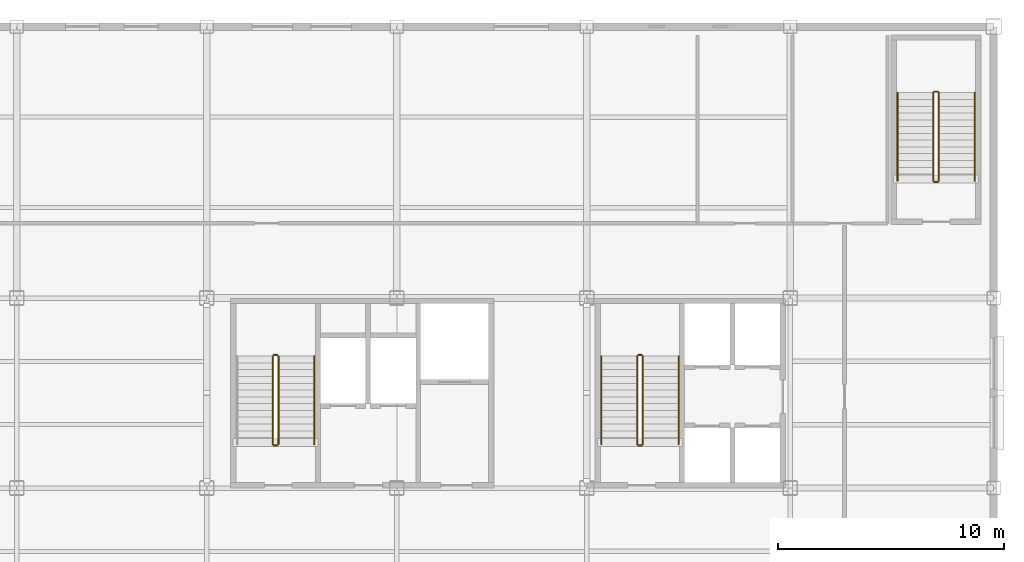
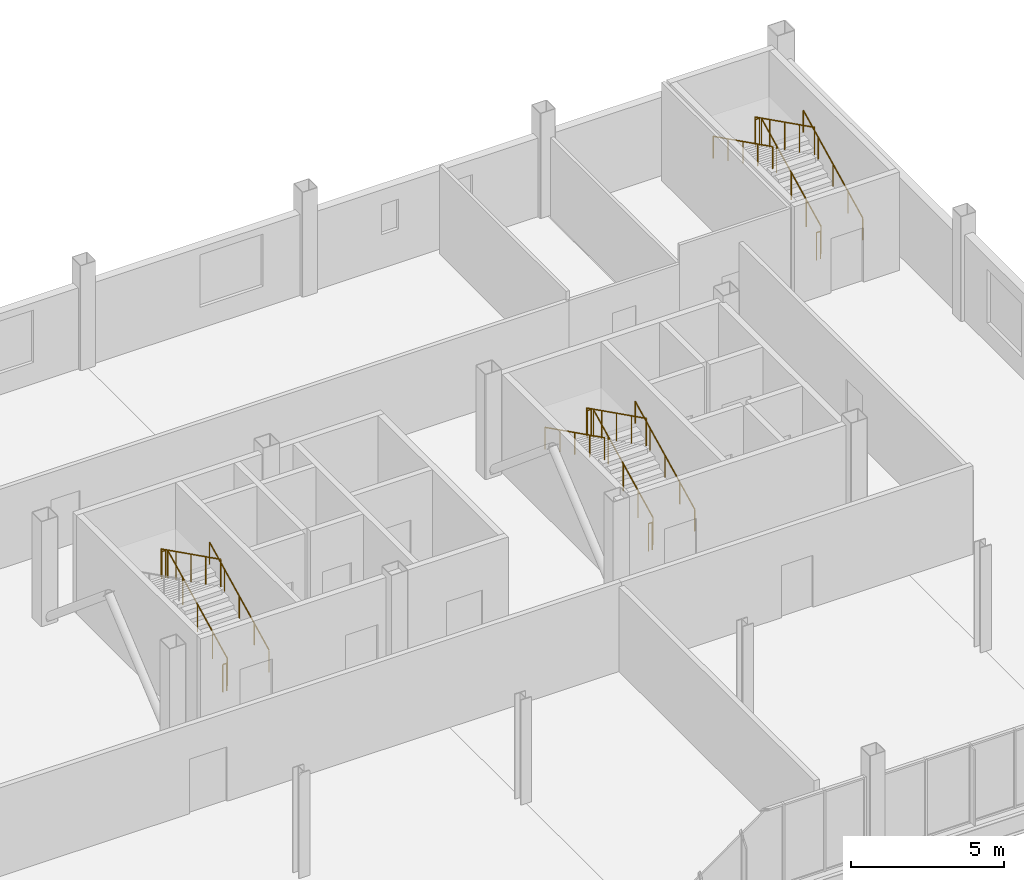
# One storey, part 45 of 45: 17 railings.
"""IFC4 building model written with IfcOpenShell, lengths in metres."""

from ifc_helpers import new_model, si_unit, direction, frame, origin, origin_2d, place, context, subcontext, project, spatial, circle, extrude, material, layer, layer_set, type_object, element, save


model = new_model("IFC4")

# Units and contexts
model_context = context("Model", 3, precision=1e-05, world=origin(), true_north=direction((0.0, 1.0)))
body_context = subcontext(model_context, "Body", "Model", "MODEL_VIEW")
ifc_project = project(units=[si_unit("LENGTHUNIT", "METRE"), si_unit("AREAUNIT", "SQUARE_METRE"), si_unit("VOLUMEUNIT", "CUBIC_METRE"), si_unit("PLANEANGLEUNIT", "RADIAN"), si_unit("MASSUNIT", "GRAM", prefix="KILO")], contexts=[model_context])

# Site, building, storey
site_placement = place(None, origin())
site = spatial("IfcSite", under=ifc_project, at=site_placement, CompositionType="ELEMENT")
building_placement = place(site_placement, origin())
building = spatial("IfcBuilding", under=site, at=building_placement, Name="Yukiwa Park Conservatory and Herbarium", CompositionType="ELEMENT")
storey_placement = place(building_placement, frame((0.0, 0.0, 9.0)))
storey = spatial("IfcBuildingStorey", under=building, at=storey_placement, Name="L02", CompositionType="ELEMENT", Elevation=9.0)

# Railings
ifc_material_1 = material(Name="Steel Q235B", Category="steel")
ifc_layer_1 = layer(ifc_material_1, 0.050048828125)
ifc_layer_set_1 = layer_set([ifc_layer_1], Name="Steel Q235B")
railing_type_1 = type_object("IfcRailingType", Name="RL-STAIR-GUARD-1120", PredefinedType="BALUSTRADE", material=ifc_layer_set_1)
railing_1_placement = place(storey_placement, frame((136.3701171875, 96.72998046875, 0.14990234375)))
element("IfcRailing", 1, at=railing_1_placement, inside=storey, type_object=railing_type_1, Name="L02 ST-T1 stair guard 1", PredefinedType="BALUSTRADE", context=body_context, shape_type="SweptSolid", body=[
    extrude(circle(Radius=0.02392578125, at=origin_2d()), frame((0.0, 0.0, 1.09619140625), z_axis=(0.0, 0.894404793364, 0.447258387967), x_axis=(-1.0, 0.0, 0.0)), (0.0, 0.0, 1.0), 4.3603515625),
    extrude(circle(Radius=0.02099609375, at=origin_2d()), origin(), (0.0, 0.0, 1.0), 1.072021484375),
    extrude(circle(Radius=0.02099609375, at=origin_2d()), frame((0.0, 0.97509765625, 0.487548828125)), (0.0, 0.0, 1.0), 1.072021484375),
    extrude(circle(Radius=0.02099609375, at=origin_2d()), frame((0.0, 1.949951171875, 0.97509765625)), (0.0, 0.0, 1.0), 1.072021484375),
    extrude(circle(Radius=0.02099609375, at=origin_2d()), frame((0.0, 2.9248046875, 1.462646484375)), (0.0, 0.0, 1.0), 1.072021484375),
    extrude(circle(Radius=0.02099609375, at=origin_2d()), frame((0.0, 3.89990234375, 1.9501953125)), (0.0, 0.0, 1.0), 1.072021484375),
])
railing_2_placement = place(storey_placement, frame((136.320068359375, 100.679931640625, 2.10009765625)))
element("IfcRailing", 2, at=railing_2_placement, inside=storey, type_object=railing_type_1, Name="L02 ST-T1 stair guard 2", PredefinedType="BALUSTRADE", context=body_context, shape_type="SweptSolid", body=[
    extrude(circle(Radius=0.02392578125, at=origin_2d()), frame((0.0, 0.0, 1.09619140625), z_axis=(-1.0, 0.0, 0.0), x_axis=(0.0, -1.0, 0.0)), (0.0, 0.0, 1.0), 0.150146484375),
    extrude(circle(Radius=0.02099609375, at=origin_2d()), origin(), (0.0, 0.0, 1.0), 1.072021484375),
    extrude(circle(Radius=0.02099609375, at=origin_2d()), frame((-0.150146484375, 0.0, 0.0)), (0.0, 0.0, 1.0), 1.072021484375),
])
railing_3_placement = place(storey_placement, frame((136.1201171875, 100.6298828125, 2.25)))
element("IfcRailing", 3, at=railing_3_placement, inside=storey, type_object=railing_type_1, Name="L02 ST-T1 stair guard 3", PredefinedType="BALUSTRADE", context=body_context, shape_type="SweptSolid", body=[
    extrude(circle(Radius=0.02392578125, at=origin_2d()), frame((0.0, 0.0, 1.09619140625), z_axis=(0.0, -0.894427191, 0.4472135955), x_axis=(1.0, 0.0, 0.0)), (0.0, 0.0, 1.0), 4.360107421875),
    extrude(circle(Radius=0.02099609375, at=origin_2d()), origin(), (0.0, 0.0, 1.0), 1.072021484375),
    extrude(circle(Radius=0.02099609375, at=origin_2d()), frame((0.0, -0.97509765625, 0.487548828125)), (0.0, 0.0, 1.0), 1.072021484375),
    extrude(circle(Radius=0.02099609375, at=origin_2d()), frame((0.0, -1.949951171875, 0.97509765625)), (0.0, 0.0, 1.0), 1.072021484375),
    extrude(circle(Radius=0.02099609375, at=origin_2d()), frame((0.0, -2.9248046875, 1.46240234375)), (0.0, 0.0, 1.0), 1.072021484375),
    extrude(circle(Radius=0.02099609375, at=origin_2d()), frame((0.0, -3.89990234375, 1.949951171875)), (0.0, 0.0, 1.0), 1.072021484375),
])
railing_4_placement = place(storey_placement, frame((136.320068359375, 96.679931640625, 0.0)))
element("IfcRailing", 4, at=railing_4_placement, inside=storey, type_object=railing_type_1, Name="L02 ST-T1 stair guard 4", PredefinedType="BALUSTRADE", context=body_context, shape_type="SweptSolid", body=[
    extrude(circle(Radius=0.02392578125, at=origin_2d()), frame((0.0, 0.0, 1.09619140625), z_axis=(-1.0, 0.0, 0.0), x_axis=(0.0, -1.0, 0.0)), (0.0, 0.0, 1.0), 0.150146484375),
    extrude(circle(Radius=0.02099609375, at=origin_2d()), origin(), (0.0, 0.0, 1.0), 1.072021484375),
    extrude(circle(Radius=0.02099609375, at=origin_2d()), frame((-0.150146484375, 0.0, 0.0)), (0.0, 0.0, 1.0), 1.072021484375),
])
railing_5_placement = place(storey_placement, frame((152.47998046875, 96.72998046875, 0.14990234375)))
element("IfcRailing", 5, at=railing_5_placement, inside=storey, type_object=railing_type_1, Name="L02 ST-T2 stair guard 1", PredefinedType="BALUSTRADE", context=body_context, shape_type="SweptSolid", body=[
    extrude(circle(Radius=0.02392578125, at=origin_2d()), frame((0.0, 0.0, 1.09619140625), z_axis=(0.0, 0.894404793364, 0.447258387967), x_axis=(-1.0, 0.0, 0.0)), (0.0, 0.0, 1.0), 4.3603515625),
    extrude(circle(Radius=0.02099609375, at=origin_2d()), origin(), (0.0, 0.0, 1.0), 1.072021484375),
    extrude(circle(Radius=0.02099609375, at=origin_2d()), frame((0.0, 0.97509765625, 0.487548828125)), (0.0, 0.0, 1.0), 1.072021484375),
    extrude(circle(Radius=0.02099609375, at=origin_2d()), frame((0.0, 1.949951171875, 0.97509765625)), (0.0, 0.0, 1.0), 1.072021484375),
    extrude(circle(Radius=0.02099609375, at=origin_2d()), frame((0.0, 2.9248046875, 1.462646484375)), (0.0, 0.0, 1.0), 1.072021484375),
    extrude(circle(Radius=0.02099609375, at=origin_2d()), frame((0.0, 3.89990234375, 1.9501953125)), (0.0, 0.0, 1.0), 1.072021484375),
])
railing_6_placement = place(storey_placement, frame((152.429931640625, 100.679931640625, 2.10009765625)))
element("IfcRailing", 6, at=railing_6_placement, inside=storey, type_object=railing_type_1, Name="L02 ST-T2 stair guard 2", PredefinedType="BALUSTRADE", context=body_context, shape_type="SweptSolid", body=[
    extrude(circle(Radius=0.02392578125, at=origin_2d()), frame((0.0, 0.0, 1.09619140625), z_axis=(-1.0, 0.0, 0.0), x_axis=(0.0, -1.0, 0.0)), (0.0, 0.0, 1.0), 0.14990234375),
    extrude(circle(Radius=0.02099609375, at=origin_2d()), origin(), (0.0, 0.0, 1.0), 1.072021484375),
    extrude(circle(Radius=0.02099609375, at=origin_2d()), frame((-0.14990234375, 0.0, 0.0)), (0.0, 0.0, 1.0), 1.072021484375),
])
railing_7_placement = place(storey_placement, frame((152.22998046875, 100.6298828125, 2.25)))
element("IfcRailing", 7, at=railing_7_placement, inside=storey, type_object=railing_type_1, Name="L02 ST-T2 stair guard 3", PredefinedType="BALUSTRADE", context=body_context, shape_type="SweptSolid", body=[
    extrude(circle(Radius=0.02392578125, at=origin_2d()), frame((0.0, 0.0, 1.09619140625), z_axis=(0.0, -0.894427191, 0.4472135955), x_axis=(1.0, 0.0, 0.0)), (0.0, 0.0, 1.0), 4.360107421875),
    extrude(circle(Radius=0.02099609375, at=origin_2d()), origin(), (0.0, 0.0, 1.0), 1.072021484375),
    extrude(circle(Radius=0.02099609375, at=origin_2d()), frame((0.0, -0.97509765625, 0.487548828125)), (0.0, 0.0, 1.0), 1.072021484375),
    extrude(circle(Radius=0.02099609375, at=origin_2d()), frame((0.0, -1.949951171875, 0.97509765625)), (0.0, 0.0, 1.0), 1.072021484375),
    extrude(circle(Radius=0.02099609375, at=origin_2d()), frame((0.0, -2.9248046875, 1.46240234375)), (0.0, 0.0, 1.0), 1.072021484375),
    extrude(circle(Radius=0.02099609375, at=origin_2d()), frame((0.0, -3.89990234375, 1.949951171875)), (0.0, 0.0, 1.0), 1.072021484375),
])
railing_8_placement = place(storey_placement, frame((152.429931640625, 96.679931640625, 0.0)))
element("IfcRailing", 8, at=railing_8_placement, inside=storey, type_object=railing_type_1, Name="L02 ST-T2 stair guard 4", PredefinedType="BALUSTRADE", context=body_context, shape_type="SweptSolid", body=[
    extrude(circle(Radius=0.02392578125, at=origin_2d()), frame((0.0, 0.0, 1.09619140625), z_axis=(-1.0, 0.0, 0.0), x_axis=(0.0, -1.0, 0.0)), (0.0, 0.0, 1.0), 0.14990234375),
    extrude(circle(Radius=0.02099609375, at=origin_2d()), origin(), (0.0, 0.0, 1.0), 1.072021484375),
    extrude(circle(Radius=0.02099609375, at=origin_2d()), frame((-0.14990234375, 0.0, 0.0)), (0.0, 0.0, 1.0), 1.072021484375),
])
railing_9_placement = place(storey_placement, frame((165.570068359375, 108.3798828125, 0.14990234375)))
element("IfcRailing", 9, at=railing_9_placement, inside=storey, type_object=railing_type_1, Name="L02 ST-T3 stair guard 1", PredefinedType="BALUSTRADE", context=body_context, shape_type="SweptSolid", body=[
    extrude(circle(Radius=0.02392578125, at=origin_2d()), frame((0.0, 0.0, 1.09619140625), z_axis=(0.0, 0.894415993023, 0.447235990752), x_axis=(-1.0, 0.0, 0.0)), (0.0, 0.0, 1.0), 4.360595703125),
    extrude(circle(Radius=0.02099609375, at=origin_2d()), origin(), (0.0, 0.0, 1.0), 1.072021484375),
    extrude(circle(Radius=0.02099609375, at=origin_2d()), frame((0.0, 0.97509765625, 0.487548828125)), (0.0, 0.0, 1.0), 1.072021484375),
    extrude(circle(Radius=0.02099609375, at=origin_2d()), frame((0.0, 1.9501953125, 0.97509765625)), (0.0, 0.0, 1.0), 1.072021484375),
    extrude(circle(Radius=0.02099609375, at=origin_2d()), frame((0.0, 2.925048828125, 1.462646484375)), (0.0, 0.0, 1.0), 1.072021484375),
    extrude(circle(Radius=0.02099609375, at=origin_2d()), frame((0.0, 3.900146484375, 1.9501953125)), (0.0, 0.0, 1.0), 1.072021484375),
])
railing_10_placement = place(storey_placement, frame((165.52001953125, 112.330078125, 2.10009765625)))
element("IfcRailing", 10, at=railing_10_placement, inside=storey, type_object=railing_type_1, Name="L02 ST-T3 stair guard 2", PredefinedType="BALUSTRADE", context=body_context, shape_type="SweptSolid", body=[
    extrude(circle(Radius=0.02392578125, at=origin_2d()), frame((0.0, 0.0, 1.09619140625), z_axis=(-1.0, 0.0, 0.0), x_axis=(0.0, -1.0, 0.0)), (0.0, 0.0, 1.0), 0.14990234375),
    extrude(circle(Radius=0.02099609375, at=origin_2d()), origin(), (0.0, 0.0, 1.0), 1.072021484375),
    extrude(circle(Radius=0.02099609375, at=origin_2d()), frame((-0.14990234375, 0.0, 0.0)), (0.0, 0.0, 1.0), 1.072021484375),
])
railing_11_placement = place(storey_placement, frame((165.320068359375, 112.280029296875, 2.25)))
element("IfcRailing", 11, at=railing_11_placement, inside=storey, type_object=railing_type_1, Name="L02 ST-T3 stair guard 3", PredefinedType="BALUSTRADE", context=body_context, shape_type="SweptSolid", body=[
    extrude(circle(Radius=0.02392578125, at=origin_2d()), frame((0.0, 0.0, 1.09619140625), z_axis=(0.0, -0.894438388696, 0.447191199406), x_axis=(1.0, 0.0, 0.0)), (0.0, 0.0, 1.0), 4.3603515625),
    extrude(circle(Radius=0.02099609375, at=origin_2d()), origin(), (0.0, 0.0, 1.0), 1.072021484375),
    extrude(circle(Radius=0.02099609375, at=origin_2d()), frame((0.0, -0.97509765625, 0.487548828125)), (0.0, 0.0, 1.0), 1.072021484375),
    extrude(circle(Radius=0.02099609375, at=origin_2d()), frame((0.0, -1.9501953125, 0.97509765625)), (0.0, 0.0, 1.0), 1.072021484375),
    extrude(circle(Radius=0.02099609375, at=origin_2d()), frame((0.0, -2.925048828125, 1.46240234375)), (0.0, 0.0, 1.0), 1.072021484375),
    extrude(circle(Radius=0.02099609375, at=origin_2d()), frame((0.0, -3.900146484375, 1.949951171875)), (0.0, 0.0, 1.0), 1.072021484375),
])
railing_12_placement = place(storey_placement, frame((165.52001953125, 108.330078125, 0.0)))
element("IfcRailing", 12, at=railing_12_placement, inside=storey, type_object=railing_type_1, Name="L02 ST-T3 stair guard 4", PredefinedType="BALUSTRADE", context=body_context, shape_type="SweptSolid", body=[
    extrude(circle(Radius=0.02392578125, at=origin_2d()), frame((0.0, 0.0, 1.09619140625), z_axis=(-1.0, 0.0, 0.0), x_axis=(0.0, -1.0, 0.0)), (0.0, 0.0, 1.0), 0.14990234375),
    extrude(circle(Radius=0.02099609375, at=origin_2d()), origin(), (0.0, 0.0, 1.0), 1.072021484375),
    extrude(circle(Radius=0.02099609375, at=origin_2d()), frame((-0.14990234375, 0.0, 0.0)), (0.0, 0.0, 1.0), 1.072021484375),
])
ifc_material_2 = material(Name="Steel Q235B", Category="steel")
ifc_layer_2 = layer(ifc_material_2, 0.044921875)
ifc_layer_set_2 = layer_set([ifc_layer_2], Name="Steel Q235B")
railing_type_2 = type_object("IfcRailingType", Name="RL-STAIR-RAIL-900", PredefinedType="HANDRAIL", material=ifc_layer_set_2)
for number, where, name in (
    (13, (137.949951171875, 96.72998046875, 0.14990234375), "L02 ST-T1 stair handrail 1"),
    (14, (154.06005859375, 96.72998046875, 0.14990234375), "L02 ST-T2 stair handrail 1"),
):
    element("IfcRailing", number, at=place(storey_placement, frame(where)), inside=storey, type_object=railing_type_2, Name=name, PredefinedType="HANDRAIL", context=body_context, shape_type="SweptSolid", body=[
        extrude(circle(Radius=0.02392578125, at=origin_2d()), frame((0.0, 0.0, 0.8759765625), z_axis=(0.0, 0.894404793364, 0.447258387967), x_axis=(-1.0, 0.0, 0.0)), (0.0, 0.0, 1.0), 4.3603515625),
        extrude(circle(Radius=0.02099609375, at=origin_2d()), origin(), (0.0, 0.0, 1.0), 0.851806640625),
        extrude(circle(Radius=0.02099609375, at=origin_2d()), frame((0.0, 0.97509765625, 0.487548828125)), (0.0, 0.0, 1.0), 0.851806640625),
        extrude(circle(Radius=0.02099609375, at=origin_2d()), frame((0.0, 1.949951171875, 0.97509765625)), (0.0, 0.0, 1.0), 0.851806640625),
        extrude(circle(Radius=0.02099609375, at=origin_2d()), frame((0.0, 2.9248046875, 1.462646484375)), (0.0, 0.0, 1.0), 0.851806640625),
        extrude(circle(Radius=0.02099609375, at=origin_2d()), frame((0.0, 3.89990234375, 1.9501953125)), (0.0, 0.0, 1.0), 0.851806640625),
    ])
railing_13_placement = place(storey_placement, frame((150.64990234375, 100.6298828125, 2.25)))
element("IfcRailing", 15, at=railing_13_placement, inside=storey, type_object=railing_type_2, Name="L02 ST-T2 stair handrail 2", PredefinedType="HANDRAIL", context=body_context, shape_type="SweptSolid", body=[
    extrude(circle(Radius=0.02392578125, at=origin_2d()), frame((0.0, 0.0, 0.8759765625), z_axis=(0.0, -0.894427191, 0.4472135955), x_axis=(1.0, 0.0, 0.0)), (0.0, 0.0, 1.0), 4.360107421875),
    extrude(circle(Radius=0.02099609375, at=origin_2d()), origin(), (0.0, 0.0, 1.0), 0.851806640625),
    extrude(circle(Radius=0.02099609375, at=origin_2d()), frame((0.0, -0.97509765625, 0.487548828125)), (0.0, 0.0, 1.0), 0.851806640625),
    extrude(circle(Radius=0.02099609375, at=origin_2d()), frame((0.0, -1.949951171875, 0.97509765625)), (0.0, 0.0, 1.0), 0.851806640625),
    extrude(circle(Radius=0.02099609375, at=origin_2d()), frame((0.0, -2.9248046875, 1.46240234375)), (0.0, 0.0, 1.0), 0.851806640625),
    extrude(circle(Radius=0.02099609375, at=origin_2d()), frame((0.0, -3.89990234375, 1.949951171875)), (0.0, 0.0, 1.0), 0.851806640625),
])
railing_14_placement = place(storey_placement, frame((167.14990234375, 108.3798828125, 0.14990234375)))
element("IfcRailing", 16, at=railing_14_placement, inside=storey, type_object=railing_type_2, Name="L02 ST-T3 stair handrail 1", PredefinedType="HANDRAIL", context=body_context, shape_type="SweptSolid", body=[
    extrude(circle(Radius=0.02392578125, at=origin_2d()), frame((0.0, 0.0, 0.8759765625), z_axis=(0.0, 0.894415993023, 0.447235990752), x_axis=(-1.0, 0.0, 0.0)), (0.0, 0.0, 1.0), 4.360595703125),
    extrude(circle(Radius=0.02099609375, at=origin_2d()), origin(), (0.0, 0.0, 1.0), 0.851806640625),
    extrude(circle(Radius=0.02099609375, at=origin_2d()), frame((0.0, 0.97509765625, 0.487548828125)), (0.0, 0.0, 1.0), 0.851806640625),
    extrude(circle(Radius=0.02099609375, at=origin_2d()), frame((0.0, 1.9501953125, 0.97509765625)), (0.0, 0.0, 1.0), 0.851806640625),
    extrude(circle(Radius=0.02099609375, at=origin_2d()), frame((0.0, 2.925048828125, 1.462646484375)), (0.0, 0.0, 1.0), 0.851806640625),
    extrude(circle(Radius=0.02099609375, at=origin_2d()), frame((0.0, 3.900146484375, 1.9501953125)), (0.0, 0.0, 1.0), 0.851806640625),
])
railing_15_placement = place(storey_placement, frame((163.739990234375, 112.280029296875, 2.25)))
element("IfcRailing", 17, at=railing_15_placement, inside=storey, type_object=railing_type_2, Name="L02 ST-T3 stair handrail 2", PredefinedType="HANDRAIL", context=body_context, shape_type="SweptSolid", body=[
    extrude(circle(Radius=0.02392578125, at=origin_2d()), frame((0.0, 0.0, 0.8759765625), z_axis=(0.0, -0.894438388696, 0.447191199406), x_axis=(1.0, 0.0, 0.0)), (0.0, 0.0, 1.0), 4.3603515625),
    extrude(circle(Radius=0.02099609375, at=origin_2d()), origin(), (0.0, 0.0, 1.0), 0.851806640625),
    extrude(circle(Radius=0.02099609375, at=origin_2d()), frame((0.0, -0.97509765625, 0.487548828125)), (0.0, 0.0, 1.0), 0.851806640625),
    extrude(circle(Radius=0.02099609375, at=origin_2d()), frame((0.0, -1.9501953125, 0.97509765625)), (0.0, 0.0, 1.0), 0.851806640625),
    extrude(circle(Radius=0.02099609375, at=origin_2d()), frame((0.0, -2.925048828125, 1.46240234375)), (0.0, 0.0, 1.0), 0.851806640625),
    extrude(circle(Radius=0.02099609375, at=origin_2d()), frame((0.0, -3.900146484375, 1.949951171875)), (0.0, 0.0, 1.0), 0.851806640625),
])

save(model, "model.ifc")
